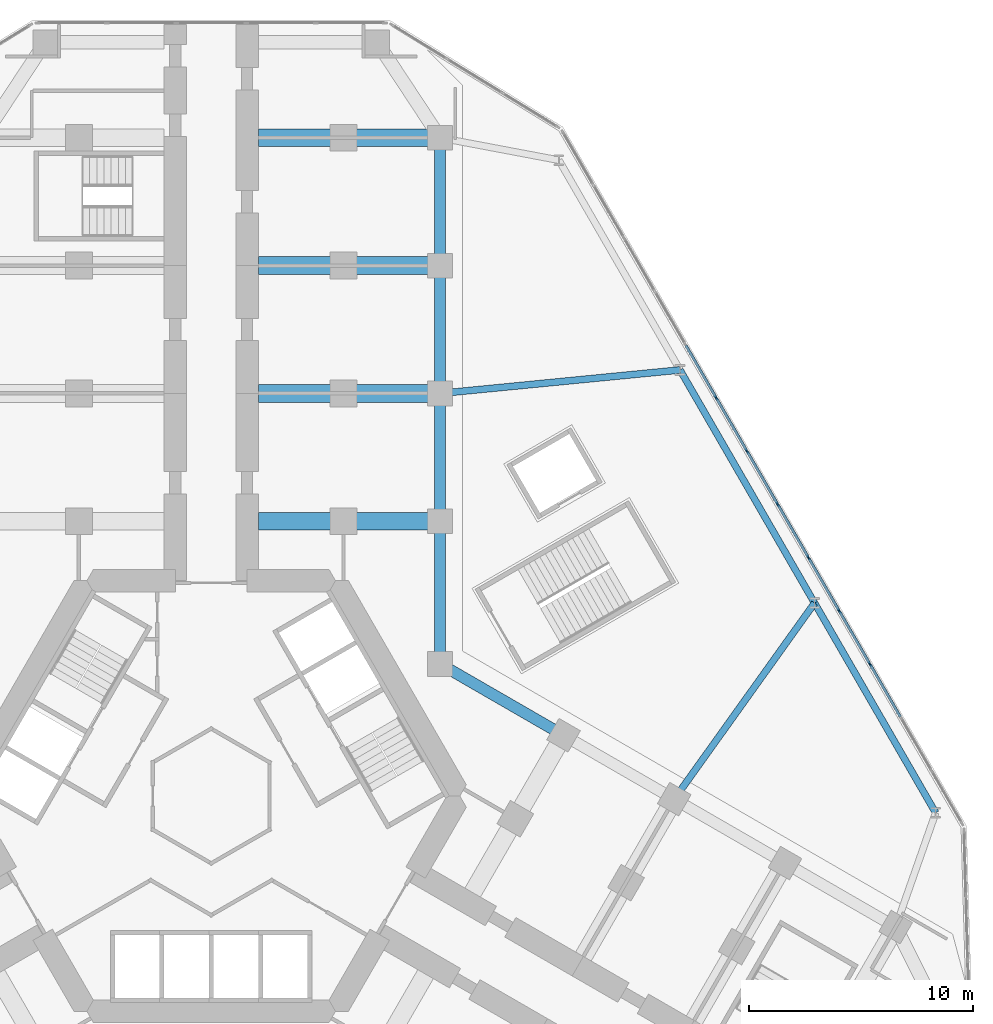
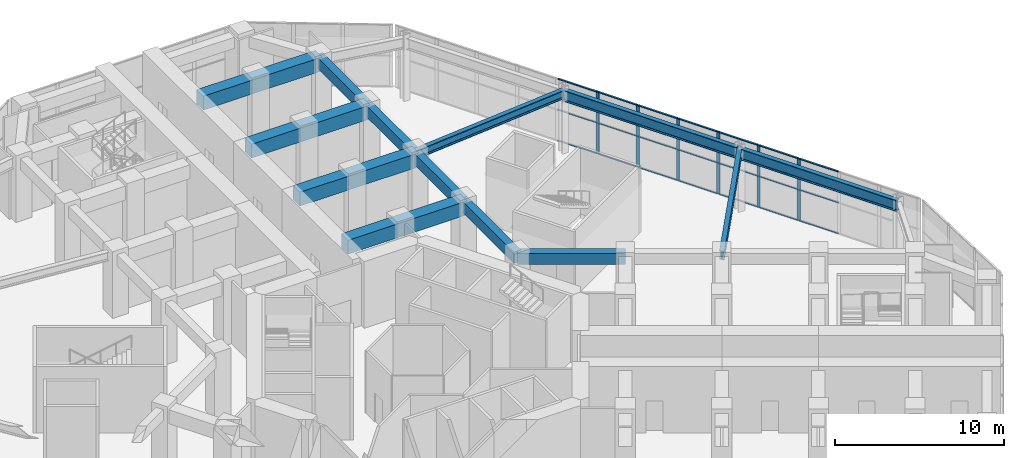
# One storey, part 9 of 22: 27 members, 13 beams, 1 element without a shape of its own.
"""IFC4 building model written with IfcOpenShell, lengths in metres."""

from ifc_helpers import new_model, si_unit, direction, frame, origin, origin_2d, place, context, subcontext, project, spatial, rectangle, i_section, extrude, material, material_profile, profile_set, type_object, element, aggregate, save


model = new_model("IFC4")

# Units and contexts
model_context = context("Model", 3, precision=1e-05, world=origin(), true_north=direction((0.0, 1.0)))
body_context = subcontext(model_context, "Body", "Model", "MODEL_VIEW")
ifc_project = project(units=[si_unit("LENGTHUNIT", "METRE"), si_unit("AREAUNIT", "SQUARE_METRE"), si_unit("VOLUMEUNIT", "CUBIC_METRE"), si_unit("PLANEANGLEUNIT", "RADIAN"), si_unit("MASSUNIT", "GRAM", prefix="KILO")], contexts=[model_context])

# Site, building, storey
site_placement = place(None, origin())
site = spatial("IfcSite", under=ifc_project, at=site_placement, CompositionType="ELEMENT")
building_placement = place(site_placement, origin())
building = spatial("IfcBuilding", under=site, at=building_placement, Name="Kosmar Iwan School Tower", CompositionType="ELEMENT")
storey_placement = place(building_placement, frame((0.0, 0.0, 10.800048828125)))
storey = spatial("IfcBuildingStorey", under=building, at=storey_placement, Name="L02", CompositionType="ELEMENT", Elevation=10.800048828125)

# Beams
ifc_material_1 = material(Name="Steel S355", Category="steel")
ifc_material_profile_1 = material_profile(ifc_material_1, i_section(OverallWidth=0.300048828125, OverallDepth=0.800048828125, WebThickness=0.017578125, FlangeThickness=0.032958984375, FilletRadius=0.030029296875, at=origin_2d()), Name="HE 800 B")
ifc_profile_set_1 = profile_set([ifc_material_profile_1], Name="Steel S355")
beam_type_1 = type_object("IfcBeamType", Name="Infill edge beam HE 800 B", PredefinedType="BEAM", material=ifc_profile_set_1)
beam_1_placement = place(storey_placement, frame((20.90234375, 18.99609375, 4.099853515625), z_axis=(0.49999894854, -0.866026010844, 0.0), x_axis=(0.866026010844, 0.49999894854, 0.0)))
element("IfcBeam", 1, at=beam_1_placement, inside=storey, type_object=beam_type_1, Name="Infill edge beam AC3", PredefinedType="BEAM", context=body_context, shape_type="SweptSolid", body=[
    extrude(i_section(OverallWidth=0.300048828125, OverallDepth=0.800048828125, WebThickness=0.017578125, FlangeThickness=0.032958984375, FilletRadius=0.030029296875, at=origin_2d()), origin(), (0.0, 0.0, 1.0), 12.0),
])
beam_2_placement = place(storey_placement, frame((26.90234375, 8.603759765625, 4.099853515625), z_axis=(0.499995103361, -0.866028230842, 0.0), x_axis=(0.866028230842, 0.499995103361, 0.0)))
element("IfcBeam", 2, at=beam_2_placement, inside=storey, type_object=beam_type_1, Name="Infill edge beam AC4", PredefinedType="BEAM", context=body_context, shape_type="SweptSolid", body=[
    extrude(i_section(OverallWidth=0.300048828125, OverallDepth=0.800048828125, WebThickness=0.017578125, FlangeThickness=0.032958984375, FilletRadius=0.030029296875, at=origin_2d()), origin(), (0.0, 0.0, 1.0), 10.7998046875),
])
ifc_material_2 = material(Name="Steel S355", Category="steel")
ifc_material_profile_2 = material_profile(ifc_material_2, i_section(OverallWidth=0.304931640625, OverallDepth=0.6201171875, WebThickness=0.02099609375, FlangeThickness=0.0400390625, FilletRadius=0.027099609375, at=origin_2d()), Name="HE 600 M")
ifc_profile_set_2 = profile_set([ifc_material_profile_2], Name="Steel S355")
beam_type_2 = type_object("IfcBeamType", Name="Infill girder HE 600 M", PredefinedType="BEAM", material=ifc_profile_set_2)
beam_3_placement = place(storey_placement, frame((20.90234375, 18.99609375, 4.18994140625), z_axis=(-0.995256582335, -0.09728481546, 0.0), x_axis=(0.09728481546, -0.995256582335, 0.0)))
element("IfcBeam", 3, at=beam_3_placement, inside=storey, type_object=beam_type_2, Name="Infill girder AC2", PredefinedType="BEAM", context=body_context, shape_type="SweptSolid", body=[
    extrude(i_section(OverallWidth=0.304931640625, OverallDepth=0.6201171875, WebThickness=0.02099609375, FlangeThickness=0.0400390625, FilletRadius=0.027099609375, at=origin_2d()), origin(), (0.0, 0.0, 1.0), 10.75341796875),
])
beam_4_placement = place(storey_placement, frame((26.90234375, 8.603759765625, 4.18994140625), z_axis=(-0.58187801822, -0.813276073614, 0.0), x_axis=(0.813276073614, -0.58187801822, 0.0)))
element("IfcBeam", 4, at=beam_4_placement, inside=storey, type_object=beam_type_2, Name="Infill girder AC3", PredefinedType="BEAM", context=body_context, shape_type="SweptSolid", body=[
    extrude(i_section(OverallWidth=0.304931640625, OverallDepth=0.6201171875, WebThickness=0.02099609375, FlangeThickness=0.0400390625, FilletRadius=0.027099609375, at=origin_2d()), origin(), (0.0, 0.0, 1.0), 10.753173828125),
])

# Curtain wall, members
ifc_material_3 = material(Name="Dark glass in black aluminium frame", Category="aluminium")
curtain_wall_type = type_object("IfcCurtainWallType", Name="Podium curtain wall", PredefinedType="USERDEFINED", material=ifc_material_3)
curtain_wall_placement = place(storey_placement, origin())
curtain_wall = element("IfcCurtainWall", 5, at=curtain_wall_placement, inside=storey, type_object=curtain_wall_type, Name="Curtain wall L02-F04", ObjectType="STICK CURTAIN WALL", PredefinedType="USERDEFINED")
ifc_material_4 = material(Name="Black anodised aluminium", Category="aluminium")
ifc_material_profile_3 = material_profile(ifc_material_4, rectangle(XDim=0.06494140625, YDim=0.219970703125, at=origin_2d()), Name="MULLION 65x220")
ifc_profile_set_3 = profile_set([ifc_material_profile_3], Name="Black anodised aluminium")
member_type_1 = type_object("IfcMemberType", Name="Podium mullion 65x220", PredefinedType="MULLION", material=ifc_profile_set_3)
member_1_placement = place(storey_placement, frame((29.370849609375, 5.87841796875, 0.0), z_axis=(0.0, 0.0, 1.0), x_axis=(-0.866025390869, -0.50000002237, 0.0)))
member_1 = element("IfcMember", 6, at=member_1_placement, type_object=member_type_1, Name="CW3 mullion 4", PredefinedType="MULLION", context=body_context, shape_type="SweptSolid", body=[
    extrude(rectangle(XDim=0.06494140625, YDim=0.219970703125, at=origin_2d()), origin(), (0.0, 0.0, 1.0), 4.5),
])
member_2_placement = place(storey_placement, frame((28.0, 8.25244140625, 0.0), z_axis=(0.0, 0.0, 1.0), x_axis=(-0.866025390869, -0.50000002237, 0.0)))
member_2 = element("IfcMember", 7, at=member_2_placement, type_object=member_type_1, Name="CW3 mullion 5", PredefinedType="MULLION", context=body_context, shape_type="SweptSolid", body=[
    extrude(rectangle(XDim=0.06494140625, YDim=0.219970703125, at=origin_2d()), origin(), (0.0, 0.0, 1.0), 4.5),
])
member_3_placement = place(storey_placement, frame((26.62939453125, 10.62646484375, 0.0), z_axis=(0.0, 0.0, 1.0), x_axis=(-0.866025390869, -0.50000002237, 0.0)))
member_3 = element("IfcMember", 8, at=member_3_placement, type_object=member_type_1, Name="CW3 mullion 6", PredefinedType="MULLION", context=body_context, shape_type="SweptSolid", body=[
    extrude(rectangle(XDim=0.06494140625, YDim=0.219970703125, at=origin_2d()), origin(), (0.0, 0.0, 1.0), 4.5),
])
member_4_placement = place(storey_placement, frame((25.2587890625, 13.00048828125, 0.0), z_axis=(0.0, 0.0, 1.0), x_axis=(-0.866025390869, -0.50000002237, 0.0)))
member_4 = element("IfcMember", 9, at=member_4_placement, type_object=member_type_1, Name="CW3 mullion 7", PredefinedType="MULLION", context=body_context, shape_type="SweptSolid", body=[
    extrude(rectangle(XDim=0.06494140625, YDim=0.219970703125, at=origin_2d()), origin(), (0.0, 0.0, 1.0), 4.5),
])
member_5_placement = place(storey_placement, frame((23.88818359375, 15.37451171875, 0.0), z_axis=(0.0, 0.0, 1.0), x_axis=(-0.866025390869, -0.50000002237, 0.0)))
member_5 = element("IfcMember", 10, at=member_5_placement, type_object=member_type_1, Name="CW3 mullion 8", PredefinedType="MULLION", context=body_context, shape_type="SweptSolid", body=[
    extrude(rectangle(XDim=0.06494140625, YDim=0.219970703125, at=origin_2d()), origin(), (0.0, 0.0, 1.0), 4.5),
])
member_6_placement = place(storey_placement, frame((22.517578125, 17.74853515625, 0.0), z_axis=(0.0, 0.0, 1.0), x_axis=(-0.866025390869, -0.50000002237, 0.0)))
member_6 = element("IfcMember", 11, at=member_6_placement, type_object=member_type_1, Name="CW3 mullion 9", PredefinedType="MULLION", context=body_context, shape_type="SweptSolid", body=[
    extrude(rectangle(XDim=0.06494140625, YDim=0.219970703125, at=origin_2d()), origin(), (0.0, 0.0, 1.0), 4.5),
])

# Beams
ifc_material_5 = material(Name="Concrete C50/60", Category="concrete")
ifc_material_profile_4 = material_profile(ifc_material_5, rectangle(XDim=0.5, YDim=0.800048828125, at=origin_2d()), Name="RC 500x800")
ifc_profile_set_4 = profile_set([ifc_material_profile_4], Name="Concrete C50/60")
beam_type_3 = type_object("IfcBeamType", Name="RC edge beam 500x800", PredefinedType="BEAM", material=ifc_profile_set_4)
beam_5_placement = place(storey_placement, frame((10.199951171875, 5.888916015625, 4.099853515625), z_axis=(0.0, 1.0, 0.0), x_axis=(-1.0, 0.0, 0.0)))
element("IfcBeam", 12, at=beam_5_placement, inside=storey, type_object=beam_type_3, Name="Edge beam AR1", PredefinedType="BEAM", context=body_context, shape_type="SweptSolid", body=[
    extrude(rectangle(XDim=0.5, YDim=0.800048828125, at=origin_2d()), origin(), (0.0, 0.0, 1.0), 6.361083984375),
])
for number, where, z_axis, x_axis, name in (
    (13, (10.199951171875, 12.25, 4.099853515625), (0.0, 1.0, 0.0), (-1.0, 0.0, 0.0), "Edge beam AR2"),
    (14, (10.199951171875, 17.949951171875, 4.099853515625), (0.0, 1.0, 0.0), (-1.0, 0.0, 0.0), "Edge beam AR3"),
):
    element("IfcBeam", number, at=place(storey_placement, frame(where, z_axis=z_axis, x_axis=x_axis)), inside=storey, type_object=beam_type_3, Name=name, PredefinedType="BEAM", context=body_context, shape_type="SweptSolid", body=[
        extrude(rectangle(XDim=0.5, YDim=0.800048828125, at=origin_2d()), origin(), (0.0, 0.0, 1.0), 5.699951171875),
    ])
beam_6_placement = place(storey_placement, frame((10.199951171875, 23.64990234375, 4.099853515625), z_axis=(0.0, 1.0, 0.0), x_axis=(-1.0, 0.0, 0.0)))
element("IfcBeam", 15, at=beam_6_placement, inside=storey, type_object=beam_type_3, Name="Edge beam AR4", PredefinedType="BEAM", context=body_context, shape_type="SweptSolid", body=[
    extrude(rectangle(XDim=0.5, YDim=0.800048828125, at=origin_2d()), origin(), (0.0, 0.0, 1.0), 5.7001953125),
])
beam_7_placement = place(storey_placement, frame((10.199951171875, 5.888916015625, 4.099853515625), z_axis=(0.866030912664, -0.49999045822, 0.0), x_axis=(0.49999045822, 0.866030912664, 0.0)))
element("IfcBeam", 16, at=beam_7_placement, inside=storey, type_object=beam_type_3, Name="Edge beam CL1", PredefinedType="BEAM", context=body_context, shape_type="SweptSolid", body=[
    extrude(rectangle(XDim=0.5, YDim=0.800048828125, at=origin_2d()), origin(), (0.0, 0.0, 1.0), 6.36083984375),
])
ifc_material_6 = material(Name="Concrete C50/60", Category="concrete")
ifc_material_profile_5 = material_profile(ifc_material_6, rectangle(XDim=0.800048828125, YDim=1.0, at=origin_2d()), Name="RC 800x1000")
ifc_profile_set_5 = profile_set([ifc_material_profile_5], Name="Concrete C50/60")
beam_type_4 = type_object("IfcBeamType", Name="RC transverse beam 800x1000", PredefinedType="BEAM", material=ifc_profile_set_5)
for number, where, z_axis, x_axis, name in (
    (17, (10.199951171875, 12.25, 4.0), (-1.0, 0.0, 0.0), (0.0, -1.0, 0.0), "Transverse beam AR1"),
    (18, (10.199951171875, 17.949951171875, 4.0), (-1.0, 0.0, 0.0), (0.0, -1.0, 0.0), "Transverse beam AR2"),
    (19, (10.199951171875, 23.64990234375, 4.0), (-1.0, 0.0, 0.0), (0.0, -1.0, 0.0), "Transverse beam AR3"),
    (20, (10.199951171875, 29.35009765625, 4.0), (-1.0, 0.0, 0.0), (0.0, -1.0, 0.0), "Transverse beam AR4"),
):
    element("IfcBeam", number, at=place(storey_placement, frame(where, z_axis=z_axis, x_axis=x_axis)), inside=storey, type_object=beam_type_4, Name=name, PredefinedType="BEAM", context=body_context, shape_type="SweptSolid", body=[
        extrude(rectangle(XDim=0.800048828125, YDim=1.0, at=origin_2d()), origin(), (0.0, 0.0, 1.0), 8.099853515625),
    ])

# Member
ifc_material_7 = material(Name="Black anodised aluminium", Category="aluminium")
ifc_material_profile_6 = material_profile(ifc_material_7, rectangle(XDim=0.1201171875, YDim=0.06005859375, at=origin_2d()), Name="TRANSOM 60x120")
ifc_profile_set_6 = profile_set([ifc_material_profile_6], Name="Black anodised aluminium")
member_type_2 = type_object("IfcMemberType", Name="Transom 60x120", PredefinedType="USERDEFINED", material=ifc_profile_set_6)
member_7_placement = place(storey_placement, frame((30.72509765625, 3.532470703125, 0.030029296875), z_axis=(-0.499975134057, 0.866039759667, 0.0), x_axis=(-0.866039759667, -0.499975134057, 0.0)))
member_7 = element("IfcMember", 21, at=member_7_placement, type_object=member_type_2, Name="CW3 transom 3.1", ObjectType="TRANSOM", PredefinedType="USERDEFINED", context=body_context, shape_type="SweptSolid", body=[
    extrude(rectangle(XDim=0.1201171875, YDim=0.06005859375, at=origin_2d()), origin(), (0.0, 0.0, 1.0), 2.676513671875),
])

member_8_placement = place(storey_placement, frame((30.72509765625, 3.532470703125, 2.25), z_axis=(-0.499975134057, 0.866039759667, 0.0), x_axis=(-0.866039759667, -0.499975134057, 0.0)))
member_8 = element("IfcMember", 22, at=member_8_placement, type_object=member_type_2, Name="CW3 transom 3.2", ObjectType="TRANSOM", PredefinedType="USERDEFINED", context=body_context, shape_type="SweptSolid", body=[
    extrude(rectangle(XDim=0.1201171875, YDim=0.06005859375, at=origin_2d()), origin(), (0.0, 0.0, 1.0), 2.676513671875),
])

member_9_placement = place(storey_placement, frame((30.72509765625, 3.532470703125, 4.469970703125), z_axis=(-0.499975134057, 0.866039759667, 0.0), x_axis=(-0.866039759667, -0.499975134057, 0.0)))
member_9 = element("IfcMember", 23, at=member_9_placement, type_object=member_type_2, Name="CW3 transom 3.3", ObjectType="TRANSOM", PredefinedType="USERDEFINED", context=body_context, shape_type="SweptSolid", body=[
    extrude(rectangle(XDim=0.1201171875, YDim=0.06005859375, at=origin_2d()), origin(), (0.0, 0.0, 1.0), 2.676513671875),
])

member_10_placement = place(storey_placement, frame((29.3544921875, 5.906494140625, 0.030029296875), z_axis=(-0.499975134057, 0.866039759667, 0.0), x_axis=(-0.866039759667, -0.499975134057, 0.0)))
member_10 = element("IfcMember", 24, at=member_10_placement, type_object=member_type_2, Name="CW3 transom 4.1", ObjectType="TRANSOM", PredefinedType="USERDEFINED", context=body_context, shape_type="SweptSolid", body=[
    extrude(rectangle(XDim=0.1201171875, YDim=0.06005859375, at=origin_2d()), origin(), (0.0, 0.0, 1.0), 2.676513671875),
])

member_11_placement = place(storey_placement, frame((29.3544921875, 5.906494140625, 2.25), z_axis=(-0.499975134057, 0.866039759667, 0.0), x_axis=(-0.866039759667, -0.499975134057, 0.0)))
member_11 = element("IfcMember", 25, at=member_11_placement, type_object=member_type_2, Name="CW3 transom 4.2", ObjectType="TRANSOM", PredefinedType="USERDEFINED", context=body_context, shape_type="SweptSolid", body=[
    extrude(rectangle(XDim=0.1201171875, YDim=0.06005859375, at=origin_2d()), origin(), (0.0, 0.0, 1.0), 2.676513671875),
])

member_12_placement = place(storey_placement, frame((29.3544921875, 5.906494140625, 4.469970703125), z_axis=(-0.499975134057, 0.866039759667, 0.0), x_axis=(-0.866039759667, -0.499975134057, 0.0)))
member_12 = element("IfcMember", 26, at=member_12_placement, type_object=member_type_2, Name="CW3 transom 4.3", ObjectType="TRANSOM", PredefinedType="USERDEFINED", context=body_context, shape_type="SweptSolid", body=[
    extrude(rectangle(XDim=0.1201171875, YDim=0.06005859375, at=origin_2d()), origin(), (0.0, 0.0, 1.0), 2.676513671875),
])

member_13_placement = place(storey_placement, frame((27.98388671875, 8.280517578125, 0.030029296875), z_axis=(-0.499975134057, 0.866039759667, 0.0), x_axis=(-0.866039759667, -0.499975134057, 0.0)))
member_13 = element("IfcMember", 27, at=member_13_placement, type_object=member_type_2, Name="CW3 transom 5.1", ObjectType="TRANSOM", PredefinedType="USERDEFINED", context=body_context, shape_type="SweptSolid", body=[
    extrude(rectangle(XDim=0.1201171875, YDim=0.06005859375, at=origin_2d()), origin(), (0.0, 0.0, 1.0), 2.676513671875),
])

member_14_placement = place(storey_placement, frame((27.98388671875, 8.280517578125, 2.25), z_axis=(-0.499975134057, 0.866039759667, 0.0), x_axis=(-0.866039759667, -0.499975134057, 0.0)))
member_14 = element("IfcMember", 28, at=member_14_placement, type_object=member_type_2, Name="CW3 transom 5.2", ObjectType="TRANSOM", PredefinedType="USERDEFINED", context=body_context, shape_type="SweptSolid", body=[
    extrude(rectangle(XDim=0.1201171875, YDim=0.06005859375, at=origin_2d()), origin(), (0.0, 0.0, 1.0), 2.676513671875),
])

member_15_placement = place(storey_placement, frame((27.98388671875, 8.280517578125, 4.469970703125), z_axis=(-0.499975134057, 0.866039759667, 0.0), x_axis=(-0.866039759667, -0.499975134057, 0.0)))
member_15 = element("IfcMember", 29, at=member_15_placement, type_object=member_type_2, Name="CW3 transom 5.3", ObjectType="TRANSOM", PredefinedType="USERDEFINED", context=body_context, shape_type="SweptSolid", body=[
    extrude(rectangle(XDim=0.1201171875, YDim=0.06005859375, at=origin_2d()), origin(), (0.0, 0.0, 1.0), 2.676513671875),
])

member_16_placement = place(storey_placement, frame((26.61328125, 10.654541015625, 0.030029296875), z_axis=(-0.499975134057, 0.866039759667, 0.0), x_axis=(-0.866039759667, -0.499975134057, 0.0)))
member_16 = element("IfcMember", 30, at=member_16_placement, type_object=member_type_2, Name="CW3 transom 6.1", ObjectType="TRANSOM", PredefinedType="USERDEFINED", context=body_context, shape_type="SweptSolid", body=[
    extrude(rectangle(XDim=0.1201171875, YDim=0.06005859375, at=origin_2d()), origin(), (0.0, 0.0, 1.0), 2.676513671875),
])

member_17_placement = place(storey_placement, frame((26.61328125, 10.654541015625, 2.25), z_axis=(-0.499975134057, 0.866039759667, 0.0), x_axis=(-0.866039759667, -0.499975134057, 0.0)))
member_17 = element("IfcMember", 31, at=member_17_placement, type_object=member_type_2, Name="CW3 transom 6.2", ObjectType="TRANSOM", PredefinedType="USERDEFINED", context=body_context, shape_type="SweptSolid", body=[
    extrude(rectangle(XDim=0.1201171875, YDim=0.06005859375, at=origin_2d()), origin(), (0.0, 0.0, 1.0), 2.676513671875),
])

member_18_placement = place(storey_placement, frame((26.61328125, 10.654541015625, 4.469970703125), z_axis=(-0.499975134057, 0.866039759667, 0.0), x_axis=(-0.866039759667, -0.499975134057, 0.0)))
member_18 = element("IfcMember", 32, at=member_18_placement, type_object=member_type_2, Name="CW3 transom 6.3", ObjectType="TRANSOM", PredefinedType="USERDEFINED", context=body_context, shape_type="SweptSolid", body=[
    extrude(rectangle(XDim=0.1201171875, YDim=0.06005859375, at=origin_2d()), origin(), (0.0, 0.0, 1.0), 2.676513671875),
])

member_19_placement = place(storey_placement, frame((25.242431640625, 13.028564453125, 0.030029296875), z_axis=(-0.499975134057, 0.866039759667, 0.0), x_axis=(-0.866039759667, -0.499975134057, 0.0)))
member_19 = element("IfcMember", 33, at=member_19_placement, type_object=member_type_2, Name="CW3 transom 7.1", ObjectType="TRANSOM", PredefinedType="USERDEFINED", context=body_context, shape_type="SweptSolid", body=[
    extrude(rectangle(XDim=0.1201171875, YDim=0.06005859375, at=origin_2d()), origin(), (0.0, 0.0, 1.0), 2.676513671875),
])

member_20_placement = place(storey_placement, frame((25.242431640625, 13.028564453125, 2.25), z_axis=(-0.499975134057, 0.866039759667, 0.0), x_axis=(-0.866039759667, -0.499975134057, 0.0)))
member_20 = element("IfcMember", 34, at=member_20_placement, type_object=member_type_2, Name="CW3 transom 7.2", ObjectType="TRANSOM", PredefinedType="USERDEFINED", context=body_context, shape_type="SweptSolid", body=[
    extrude(rectangle(XDim=0.1201171875, YDim=0.06005859375, at=origin_2d()), origin(), (0.0, 0.0, 1.0), 2.676513671875),
])

member_21_placement = place(storey_placement, frame((25.242431640625, 13.028564453125, 4.469970703125), z_axis=(-0.499975134057, 0.866039759667, 0.0), x_axis=(-0.866039759667, -0.499975134057, 0.0)))
member_21 = element("IfcMember", 35, at=member_21_placement, type_object=member_type_2, Name="CW3 transom 7.3", ObjectType="TRANSOM", PredefinedType="USERDEFINED", context=body_context, shape_type="SweptSolid", body=[
    extrude(rectangle(XDim=0.1201171875, YDim=0.06005859375, at=origin_2d()), origin(), (0.0, 0.0, 1.0), 2.676513671875),
])

member_22_placement = place(storey_placement, frame((23.871826171875, 15.402587890625, 0.030029296875), z_axis=(-0.499975134057, 0.866039759667, 0.0), x_axis=(-0.866039759667, -0.499975134057, 0.0)))
member_22 = element("IfcMember", 36, at=member_22_placement, type_object=member_type_2, Name="CW3 transom 8.1", ObjectType="TRANSOM", PredefinedType="USERDEFINED", context=body_context, shape_type="SweptSolid", body=[
    extrude(rectangle(XDim=0.1201171875, YDim=0.06005859375, at=origin_2d()), origin(), (0.0, 0.0, 1.0), 2.676513671875),
])

member_23_placement = place(storey_placement, frame((23.871826171875, 15.402587890625, 2.25), z_axis=(-0.499975134057, 0.866039759667, 0.0), x_axis=(-0.866039759667, -0.499975134057, 0.0)))
member_23 = element("IfcMember", 37, at=member_23_placement, type_object=member_type_2, Name="CW3 transom 8.2", ObjectType="TRANSOM", PredefinedType="USERDEFINED", context=body_context, shape_type="SweptSolid", body=[
    extrude(rectangle(XDim=0.1201171875, YDim=0.06005859375, at=origin_2d()), origin(), (0.0, 0.0, 1.0), 2.676513671875),
])

member_24_placement = place(storey_placement, frame((23.871826171875, 15.402587890625, 4.469970703125), z_axis=(-0.499975134057, 0.866039759667, 0.0), x_axis=(-0.866039759667, -0.499975134057, 0.0)))
member_24 = element("IfcMember", 38, at=member_24_placement, type_object=member_type_2, Name="CW3 transom 8.3", ObjectType="TRANSOM", PredefinedType="USERDEFINED", context=body_context, shape_type="SweptSolid", body=[
    extrude(rectangle(XDim=0.1201171875, YDim=0.06005859375, at=origin_2d()), origin(), (0.0, 0.0, 1.0), 2.676513671875),
])

member_25_placement = place(storey_placement, frame((22.501220703125, 17.776611328125, 0.030029296875), z_axis=(-0.499975134057, 0.866039759667, 0.0), x_axis=(-0.866039759667, -0.499975134057, 0.0)))
member_25 = element("IfcMember", 39, at=member_25_placement, type_object=member_type_2, Name="CW3 transom 9.1", ObjectType="TRANSOM", PredefinedType="USERDEFINED", context=body_context, shape_type="SweptSolid", body=[
    extrude(rectangle(XDim=0.1201171875, YDim=0.06005859375, at=origin_2d()), origin(), (0.0, 0.0, 1.0), 2.676513671875),
])

member_26_placement = place(storey_placement, frame((22.501220703125, 17.776611328125, 2.25), z_axis=(-0.499975134057, 0.866039759667, 0.0), x_axis=(-0.866039759667, -0.499975134057, 0.0)))
member_26 = element("IfcMember", 40, at=member_26_placement, type_object=member_type_2, Name="CW3 transom 9.2", ObjectType="TRANSOM", PredefinedType="USERDEFINED", context=body_context, shape_type="SweptSolid", body=[
    extrude(rectangle(XDim=0.1201171875, YDim=0.06005859375, at=origin_2d()), origin(), (0.0, 0.0, 1.0), 2.676513671875),
])

member_27_placement = place(storey_placement, frame((22.501220703125, 17.776611328125, 4.469970703125), z_axis=(-0.499975134057, 0.866039759667, 0.0), x_axis=(-0.866039759667, -0.499975134057, 0.0)))
member_27 = element("IfcMember", 41, at=member_27_placement, type_object=member_type_2, Name="CW3 transom 9.3", ObjectType="TRANSOM", PredefinedType="USERDEFINED", context=body_context, shape_type="SweptSolid", body=[
    extrude(rectangle(XDim=0.1201171875, YDim=0.06005859375, at=origin_2d()), origin(), (0.0, 0.0, 1.0), 2.676513671875),
])

aggregate(curtain_wall, [member_1, member_2, member_3, member_4, member_5, member_6, member_7, member_8, member_9, member_10, member_11, member_12, member_13, member_14, member_15, member_16, member_17, member_18, member_19, member_20, member_21, member_22, member_23, member_24, member_25, member_26, member_27])

save(model, "model.ifc")
